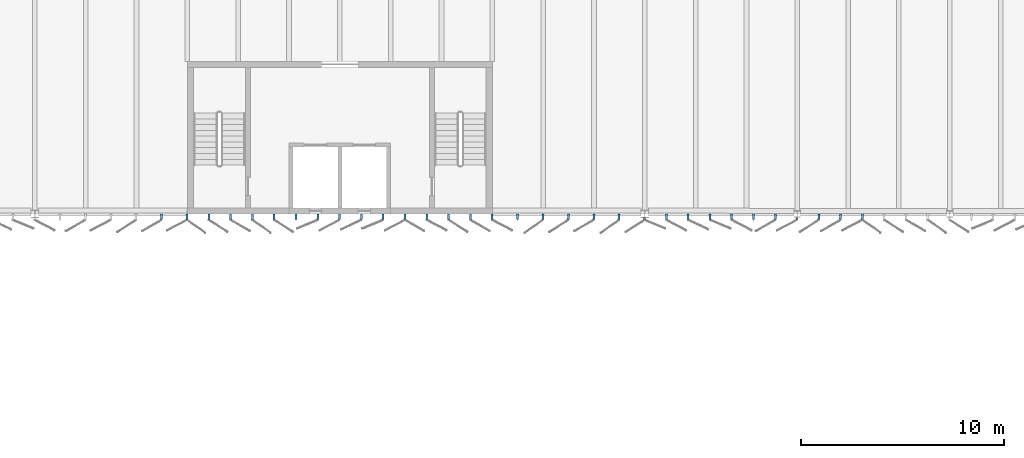
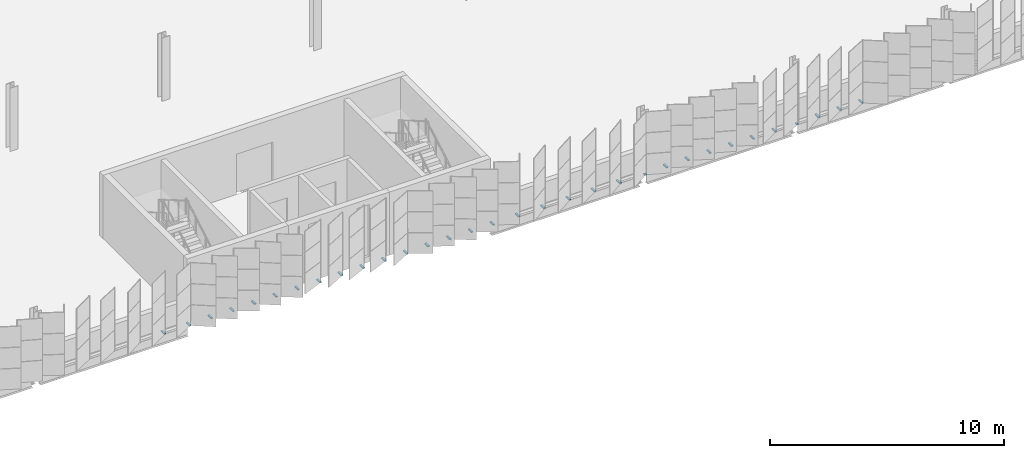
# One storey, part 166 of 199: 32 discrete accessories.
"""IFC4 building model written with IfcOpenShell, lengths in metres."""

from ifc_helpers import new_model, si_unit, direction, frame, origin, origin_2d, place, context, subcontext, project, spatial, rectangle, extrude, material, type_object, element, save


model = new_model("IFC4")

# Units and contexts
model_context = context("Model", 3, precision=1e-05, world=origin(), true_north=direction((0.0, 1.0)))
body_context = subcontext(model_context, "Body", "Model", "MODEL_VIEW")
ifc_project = project(units=[si_unit("LENGTHUNIT", "METRE"), si_unit("AREAUNIT", "SQUARE_METRE"), si_unit("VOLUMEUNIT", "CUBIC_METRE"), si_unit("PLANEANGLEUNIT", "RADIAN"), si_unit("MASSUNIT", "GRAM", prefix="KILO")], contexts=[model_context])

# Site, building, storey
site_placement = place(None, origin())
site = spatial("IfcSite", under=ifc_project, at=site_placement, CompositionType="ELEMENT")
building_placement = place(site_placement, origin())
building = spatial("IfcBuilding", under=site, at=building_placement, Name="Parallax Yard Mobility Hub", CompositionType="ELEMENT")
storey_placement = place(building_placement, frame((0.0, 0.0, 9.89990234375)))
storey = spatial("IfcBuildingStorey", under=building, at=storey_placement, Name="L03", CompositionType="ELEMENT", Elevation=9.89990234375)

# Discrete accessories
ifc_material = material(Name="Steel ASTM A36, hot-dip galvanised", Category="steel")
discrete_accessory_type = type_object("IfcDiscreteAccessoryType", Name="Hinge bracket plate 100x50", PredefinedType="BRACKET", material=ifc_material)
for number, where, z_axis, x_axis, name in (
    (1, (66.233642578125, 112.3583984375, -0.02490234375), (0.0, 0.0, 1.0), (0.0, -1.0, 0.0), "Hinge bracket plate bay 5.6 level L03"),
    (2, (67.48291015625, 112.3583984375, -0.02490234375), (0.0, 0.0, 1.0), (0.0, -1.0, 0.0), "Hinge bracket plate bay 6.1 level L03"),
    (3, (68.55517578125, 112.3583984375, -0.02490234375), (0.0, 0.0, 1.0), (0.0, -1.0, 0.0), "Hinge bracket plate bay 6.2 level L03"),
    (4, (69.627197265625, 112.3583984375, -0.02490234375), (0.0, 0.0, 1.0), (0.0, -1.0, 0.0), "Hinge bracket plate bay 6.3 level L03"),
    (5, (70.699462890625, 112.3583984375, -0.02490234375), (0.0, 0.0, 1.0), (0.0, -1.0, 0.0), "Hinge bracket plate bay 6.4 level L03"),
    (6, (71.771728515625, 112.3583984375, -0.02490234375), (0.0, 0.0, 1.0), (0.0, -1.0, 0.0), "Hinge bracket plate bay 6.5 level L03"),
    (7, (72.843994140625, 112.3583984375, -0.02490234375), (0.0, 0.0, 1.0), (0.0, -1.0, 0.0), "Hinge bracket plate bay 6.6 level L03"),
    (8, (73.916015625, 112.3583984375, -0.02490234375), (0.0, 0.0, 1.0), (0.0, -1.0, 0.0), "Hinge bracket plate bay 6.7 level L03"),
    (9, (74.98828125, 112.3583984375, -0.02490234375), (0.0, 0.0, 1.0), (0.0, -1.0, 0.0), "Hinge bracket plate bay 6.8 level L03"),
    (10, (76.060546875, 112.3583984375, -0.02490234375), (0.0, 0.0, 1.0), (0.0, -1.0, 0.0), "Hinge bracket plate bay 6.9 level L03"),
    (11, (77.1328125, 112.3583984375, -0.02490234375), (0.0, 0.0, 1.0), (0.0, -1.0, 0.0), "Hinge bracket plate bay 6.10 level L03"),
    (12, (78.205078125, 112.3583984375, -0.02490234375), (0.0, 0.0, 1.0), (0.0, -1.0, 0.0), "Hinge bracket plate bay 6.11 level L03"),
    (13, (79.277099609375, 112.3583984375, -0.02490234375), (0.0, 0.0, 1.0), (0.0, -1.0, 0.0), "Hinge bracket plate bay 6.12 level L03"),
    (14, (80.349365234375, 112.3583984375, -0.02490234375), (0.0, 0.0, 1.0), (0.0, -1.0, 0.0), "Hinge bracket plate bay 6.13 level L03"),
    (15, (81.421630859375, 112.3583984375, -0.02490234375), (0.0, 0.0, 1.0), (0.0, -1.0, 0.0), "Hinge bracket plate bay 6.14 level L03"),
    (16, (82.493896484375, 112.3583984375, -0.02490234375), (0.0, 0.0, 1.0), (0.0, -1.0, 0.0), "Hinge bracket plate bay 7.1 level L03"),
    (17, (83.7431640625, 112.3583984375, -0.02490234375), (0.0, 0.0, 1.0), (0.0, -1.0, 0.0), "Hinge bracket plate bay 7.2 level L03"),
    (18, (84.992431640625, 112.3583984375, -0.02490234375), (0.0, 0.0, 1.0), (0.0, -1.0, 0.0), "Hinge bracket plate bay 7.3 level L03"),
    (19, (86.24169921875, 112.3583984375, -0.02490234375), (0.0, 0.0, 1.0), (0.0, -1.0, 0.0), "Hinge bracket plate bay 7.4 level L03"),
    (20, (87.490966796875, 112.3583984375, -0.02490234375), (0.0, 0.0, 1.0), (0.0, -1.0, 0.0), "Hinge bracket plate bay 7.5 level L03"),
    (21, (88.739990234375, 112.3583984375, -0.02490234375), (0.0, 0.0, 1.0), (0.0, -1.0, 0.0), "Hinge bracket plate bay 7.6 level L03"),
):
    element("IfcDiscreteAccessory", number, at=place(storey_placement, frame(where, z_axis=z_axis, x_axis=x_axis)), inside=storey, type_object=discrete_accessory_type, Name=name, PredefinedType="BRACKET", context=body_context, shape_type="SweptSolid", body=[
        extrude(rectangle(XDim=0.2841796875, YDim=0.10009765625, at=origin_2d()), origin(), (0.0, 0.0, 1.0), 0.050048828125),
    ])
discrete_accessory_1_placement = place(storey_placement, frame((89.989501953125, 112.266357421875, -0.02490234375), z_axis=(0.0, 0.0, 1.0), x_axis=(0.0, -1.0, 0.0)))
element("IfcDiscreteAccessory", 22, at=discrete_accessory_1_placement, inside=storey, type_object=discrete_accessory_type, Name="Hinge bracket plate bay 8.1 level L03", PredefinedType="BRACKET", context=body_context, shape_type="SweptSolid", body=[
    extrude(rectangle(XDim=0.10009765625, YDim=0.10009765625, at=origin_2d()), origin(), (0.0, 0.0, 1.0), 0.050048828125),
])
for number, where, z_axis, x_axis, name in (
    (23, (91.060791015625, 112.3583984375, -0.02490234375), (0.0, 0.0, 1.0), (0.0, -1.0, 0.0), "Hinge bracket plate bay 8.2 level L03"),
    (24, (92.13232421875, 112.3583984375, -0.02490234375), (0.0, 0.0, 1.0), (0.0, -1.0, 0.0), "Hinge bracket plate bay 8.3 level L03"),
    (25, (93.203857421875, 112.3583984375, -0.02490234375), (0.0, 0.0, 1.0), (0.0, -1.0, 0.0), "Hinge bracket plate bay 8.4 level L03"),
    (26, (94.275390625, 112.3583984375, -0.02490234375), (0.0, 0.0, 1.0), (0.0, -1.0, 0.0), "Hinge bracket plate bay 8.5 level L03"),
    (27, (95.346923828125, 112.3583984375, -0.02490234375), (0.0, 0.0, 1.0), (0.0, -1.0, 0.0), "Hinge bracket plate bay 8.6 level L03"),
    (28, (96.41845703125, 112.3583984375, -0.02490234375), (0.0, 0.0, 1.0), (0.0, -1.0, 0.0), "Hinge bracket plate bay 8.7 level L03"),
):
    element("IfcDiscreteAccessory", number, at=place(storey_placement, frame(where, z_axis=z_axis, x_axis=x_axis)), inside=storey, type_object=discrete_accessory_type, Name=name, PredefinedType="BRACKET", context=body_context, shape_type="SweptSolid", body=[
        extrude(rectangle(XDim=0.2841796875, YDim=0.10009765625, at=origin_2d()), origin(), (0.0, 0.0, 1.0), 0.050048828125),
    ])
discrete_accessory_2_placement = place(storey_placement, frame((97.489990234375, 112.28173828125, -0.02490234375), z_axis=(0.0, 0.0, 1.0), x_axis=(0.0, -1.0, 0.0)))
element("IfcDiscreteAccessory", 29, at=discrete_accessory_2_placement, inside=storey, type_object=discrete_accessory_type, Name="Hinge bracket plate bay 9.1 level L03", PredefinedType="BRACKET", context=body_context, shape_type="SweptSolid", body=[
    extrude(rectangle(XDim=0.130615234375, YDim=0.10009765625, at=origin_2d()), origin(), (0.0, 0.0, 1.0), 0.050048828125),
])
for number, where, z_axis, x_axis, name in (
    (30, (98.561279296875, 112.3583984375, -0.02490234375), (0.0, 0.0, 1.0), (0.0, -1.0, 0.0), "Hinge bracket plate bay 9.2 level L03"),
    (31, (99.6328125, 112.3583984375, -0.02490234375), (0.0, 0.0, 1.0), (0.0, -1.0, 0.0), "Hinge bracket plate bay 9.3 level L03"),
    (32, (100.704345703125, 112.3583984375, -0.02490234375), (0.0, 0.0, 1.0), (0.0, -1.0, 0.0), "Hinge bracket plate bay 9.4 level L03"),
):
    element("IfcDiscreteAccessory", number, at=place(storey_placement, frame(where, z_axis=z_axis, x_axis=x_axis)), inside=storey, type_object=discrete_accessory_type, Name=name, PredefinedType="BRACKET", context=body_context, shape_type="SweptSolid", body=[
        extrude(rectangle(XDim=0.2841796875, YDim=0.10009765625, at=origin_2d()), origin(), (0.0, 0.0, 1.0), 0.050048828125),
    ])

save(model, "model.ifc")
